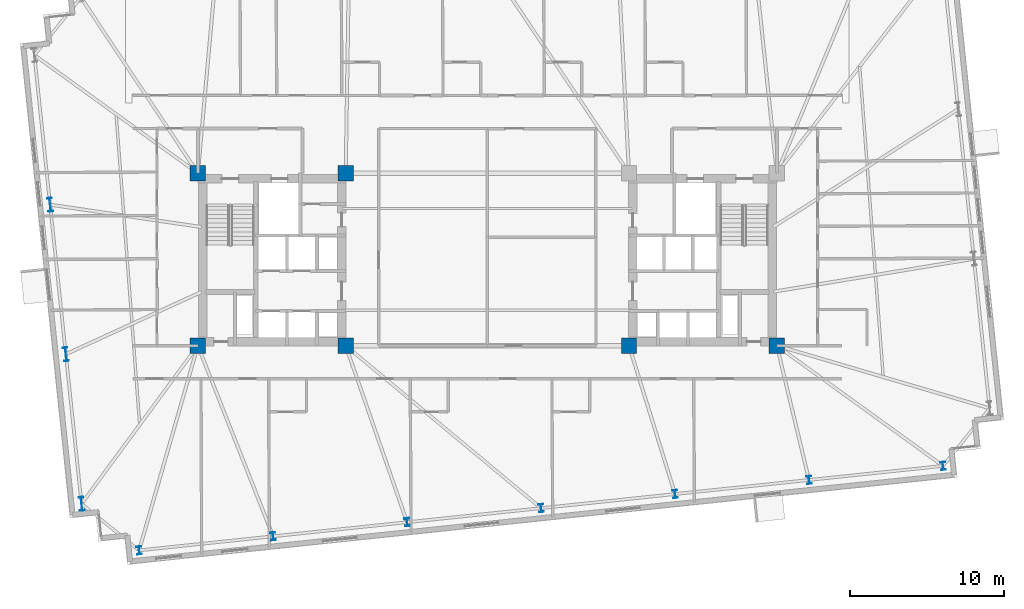
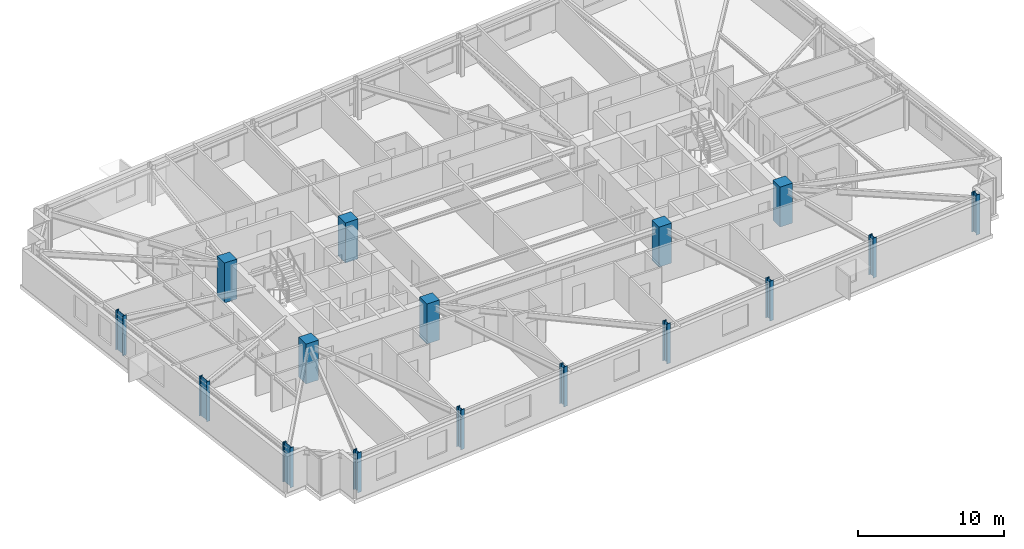
# One storey, part 1 of 19: 16 columns.
"""IFC4 building model written with IfcOpenShell, lengths in metres."""

from ifc_helpers import new_model, si_unit, direction, frame, origin, origin_2d, place, context, subcontext, project, spatial, rectangle, i_section, extrude, material, material_profile, profile_set, type_object, element, save


model = new_model("IFC4")

# Units and contexts
model_context = context("Model", 3, precision=1e-05, world=origin(), true_north=direction((0.0, 1.0)))
body_context = subcontext(model_context, "Body", "Model", "MODEL_VIEW")
ifc_project = project(units=[si_unit("LENGTHUNIT", "METRE"), si_unit("AREAUNIT", "SQUARE_METRE"), si_unit("VOLUMEUNIT", "CUBIC_METRE"), si_unit("PLANEANGLEUNIT", "RADIAN"), si_unit("MASSUNIT", "GRAM", prefix="KILO")], contexts=[model_context])

# Site, building, storey
site_placement = place(None, origin())
site = spatial("IfcSite", under=ifc_project, at=site_placement, CompositionType="ELEMENT")
building_placement = place(site_placement, origin())
building = spatial("IfcBuilding", under=site, at=building_placement, Name="Qobustan Lattice House", CompositionType="ELEMENT")
storey_placement = place(building_placement, frame((0.0, 0.0, 82.35009765625)))
storey = spatial("IfcBuildingStorey", under=building, at=storey_placement, Name="L22", CompositionType="ELEMENT", Elevation=82.35009765625)

# Columns
ifc_material_1 = material(Name="Concrete C60/75", Category="concrete")
ifc_material_profile_1 = material_profile(ifc_material_1, rectangle(XDim=1.0, YDim=1.0, at=origin_2d()), Name="RC1000x1000")
ifc_profile_set_1 = profile_set([ifc_material_profile_1], Name="Concrete C60/75")
column_type_1 = type_object("IfcColumnType", Name="COL-RC-1000", PredefinedType="COLUMN", material=ifc_profile_set_1)
for number, where, z_axis, x_axis, name in (
    (1, (-18.800048828125, -5.60009765625, 0.0), (0.0, 0.0, 1.0), (1.0, 0.0, 0.0), "L22 core mega-column CW-SW"),
    (2, (-18.800048828125, 5.60009765625, 0.0), (0.0, 0.0, 1.0), (1.0, 0.0, 0.0), "L22 core mega-column CW-NW"),
    (3, (-9.199951171875, -5.60009765625, 0.0), (0.0, 0.0, 1.0), (1.0, 0.0, 0.0), "L22 core mega-column CW-SE"),
    (4, (-9.199951171875, 5.60009765625, 0.0), (0.0, 0.0, 1.0), (1.0, 0.0, 0.0), "L22 core mega-column CW-NE"),
    (5, (9.199951171875, -5.60009765625, 0.0), (0.0, 0.0, 1.0), (1.0, 0.0, 0.0), "L22 core mega-column CE-SW"),
    (6, (18.800048828125, -5.60009765625, 0.0), (0.0, 0.0, 1.0), (1.0, 0.0, 0.0), "L22 core mega-column CE-SE"),
):
    element("IfcColumn", number, at=place(storey_placement, frame(where, z_axis=z_axis, x_axis=x_axis)), inside=storey, type_object=column_type_1, Name=name, PredefinedType="COLUMN", context=body_context, shape_type="SweptSolid", body=[
        extrude(rectangle(XDim=1.0, YDim=1.0, at=origin_2d()), origin(), (0.0, 0.0, 1.0), 3.349853515625),
    ])
ifc_material_2 = material(Name="Steel S355", Category="steel")
ifc_material_profile_2 = material_profile(ifc_material_2, i_section(OverallWidth=0.300048828125, OverallDepth=0.89990234375, WebThickness=0.0185546875, FlangeThickness=0.034912109375, FilletRadius=0.030029296875, at=origin_2d()), Name="HEB900")
ifc_profile_set_2 = profile_set([ifc_material_profile_2], Name="Steel S355")
column_type_2 = type_object("IfcColumnType", Name="COL-ST-HEB900", PredefinedType="COLUMN", material=ifc_profile_set_2)
for number, where, z_axis, x_axis, name in (
    (7, (-28.39794921875, 3.557373046875, 0.0), (0.0, 0.0, 1.0), (0.994521895368, 0.104528463268, 0.0), "L22 B2 perimeter column W2"),
    (8, (-27.377197265625, -6.156005859375, 0.0), (0.0, 0.0, 1.0), (0.994521895368, 0.104528463268, 0.0), "L22 B2 perimeter column W3"),
    (9, (-26.356201171875, -15.868896484375, 0.0), (0.0, 0.0, 1.0), (0.994521895368, 0.104528463268, 0.0), "L22 B2 perimeter column W4"),
):
    element("IfcColumn", number, at=place(storey_placement, frame(where, z_axis=z_axis, x_axis=x_axis)), inside=storey, type_object=column_type_2, Name=name, PredefinedType="COLUMN", context=body_context, shape_type="SweptSolid", body=[
        extrude(i_section(OverallWidth=0.300048828125, OverallDepth=0.89990234375, WebThickness=0.0185546875, FlangeThickness=0.034912109375, FilletRadius=0.030029296875, at=origin_2d()), origin(), (0.0, 0.0, 1.0), 3.349853515625),
    ])
ifc_material_3 = material(Name="Steel S355", Category="steel")
ifc_material_profile_3 = material_profile(ifc_material_3, i_section(OverallWidth=0.305908203125, OverallDepth=0.52392578125, WebThickness=0.02099609375, FlangeThickness=0.0400390625, FilletRadius=0.027099609375, at=origin_2d()), Name="HEM500")
ifc_profile_set_3 = profile_set([ifc_material_profile_3], Name="Steel S355")
column_type_3 = type_object("IfcColumnType", Name="COL-ST-HEM500", PredefinedType="COLUMN", material=ifc_profile_set_3)
for number, where, z_axis, x_axis, name in (
    (10, (-22.619384765625, -18.89501953125, 0.0), (0.0, 0.0, 1.0), (0.994521895368, 0.104528463268, 0.0), "L22 B2 perimeter column S1"),
    (11, (-13.91748046875, -17.98046875, 0.0), (0.0, 0.0, 1.0), (0.994521895368, 0.104528463268, 0.0), "L22 B2 perimeter column S2"),
    (12, (-5.21533203125, -17.065673828125, 0.0), (0.0, 0.0, 1.0), (0.994521895368, 0.104528463268, 0.0), "L22 B2 perimeter column S3"),
    (13, (3.48681640625, -16.151123046875, 0.0), (0.0, 0.0, 1.0), (0.994521895368, 0.104528463268, 0.0), "L22 B2 perimeter column S4"),
    (14, (12.188720703125, -15.236572265625, 0.0), (0.0, 0.0, 1.0), (0.994521895368, 0.104528463268, 0.0), "L22 B2 perimeter column S5"),
    (15, (20.890869140625, -14.322021484375, 0.0), (0.0, 0.0, 1.0), (0.994521895368, 0.104528463268, 0.0), "L22 B2 perimeter column S6"),
    (16, (29.593017578125, -13.4072265625, 0.0), (0.0, 0.0, 1.0), (0.994521895368, 0.104528463268, 0.0), "L22 B2 perimeter column S7"),
):
    element("IfcColumn", number, at=place(storey_placement, frame(where, z_axis=z_axis, x_axis=x_axis)), inside=storey, type_object=column_type_3, Name=name, PredefinedType="COLUMN", context=body_context, shape_type="SweptSolid", body=[
        extrude(i_section(OverallWidth=0.305908203125, OverallDepth=0.52392578125, WebThickness=0.02099609375, FlangeThickness=0.0400390625, FilletRadius=0.027099609375, at=origin_2d()), origin(), (0.0, 0.0, 1.0), 3.349853515625),
    ])

save(model, "model.ifc")
